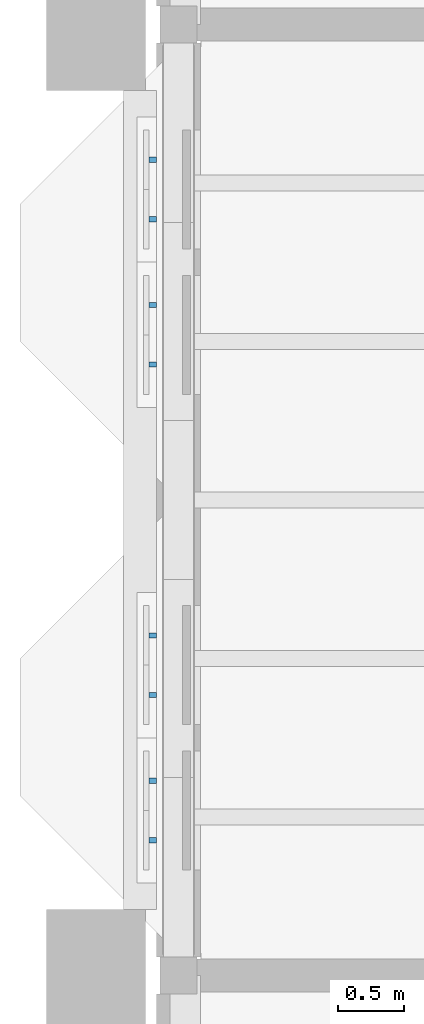
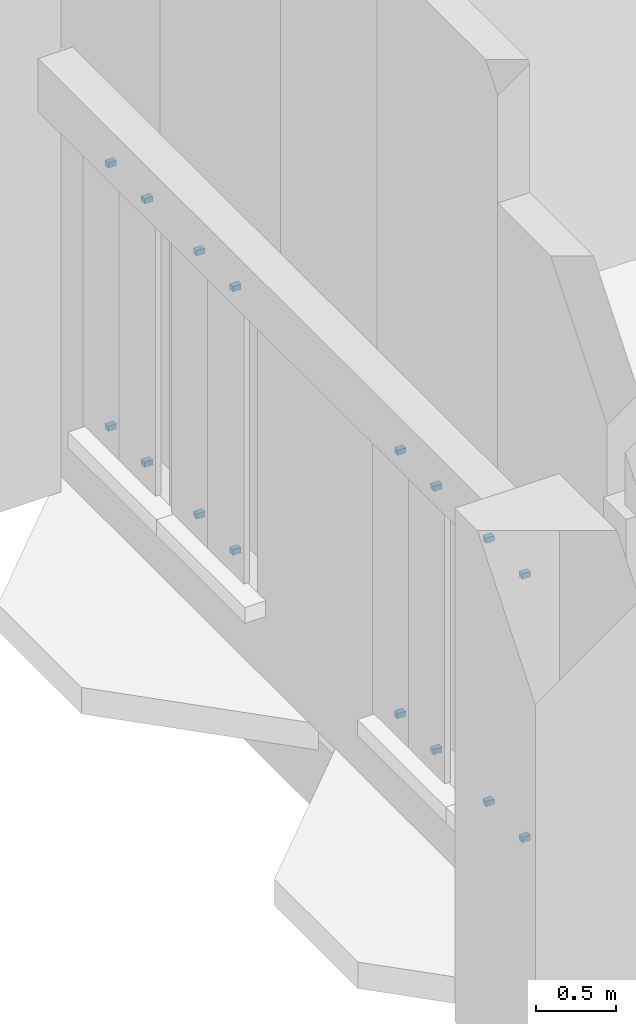
# One storey, part 41 of 51: 16 discrete accessories.
"""IFC4 building model written with IfcOpenShell, lengths in metres."""

from ifc_helpers import new_model, si_unit, direction, frame, origin, origin_2d, place, context, subcontext, project, spatial, rectangle, extrude, material, type_object, element, save


model = new_model("IFC4")

# Units and contexts
model_context = context("Model", 3, precision=1e-05, world=origin(), true_north=direction((0.0, 1.0)))
body_context = subcontext(model_context, "Body", "Model", "MODEL_VIEW")
ifc_project = project(units=[si_unit("LENGTHUNIT", "METRE"), si_unit("AREAUNIT", "SQUARE_METRE"), si_unit("VOLUMEUNIT", "CUBIC_METRE"), si_unit("PLANEANGLEUNIT", "RADIAN"), si_unit("MASSUNIT", "GRAM", prefix="KILO")], contexts=[model_context])

# Site, building, storey
site_placement = place(None, origin())
site = spatial("IfcSite", under=ifc_project, at=site_placement, CompositionType="ELEMENT")
building_placement = place(site_placement, origin())
building = spatial("IfcBuilding", under=site, at=building_placement, Name="Mazhai Court Health Centre", CompositionType="ELEMENT")
storey_placement = place(building_placement, frame((0.0, 0.0, 14.10009765625)))
storey = spatial("IfcBuildingStorey", under=building, at=storey_placement, Name="L03", CompositionType="ELEMENT", Elevation=14.10009765625)

# Discrete accessories
ifc_material = material(Name="Steel IS 2062 E250", Category="steel")
discrete_accessory_type = type_object("IfcDiscreteAccessoryType", Name="BRACKET 40", PredefinedType="BRACKET", material=ifc_material)
for number, where, z_axis, x_axis, name in (
    (1, (6.0048828125, 14.425048828125, 0.77978515625), (0.0, 0.0, 1.0), (0.0, 1.0, 0.0), "BR-V2-L03-A10aa0"),
    (2, (6.0048828125, 14.425048828125, 2.77978515625), (0.0, 0.0, 1.0), (0.0, 1.0, 0.0), "BR-V2-L03-A10aa1"),
    (3, (6.0048828125, 14.875, 0.77978515625), (0.0, 0.0, 1.0), (0.0, 1.0, 0.0), "BR-V2-L03-A10ab0"),
    (4, (6.0048828125, 14.875, 2.77978515625), (0.0, 0.0, 1.0), (0.0, 1.0, 0.0), "BR-V2-L03-A10ab1"),
    (5, (6.0048828125, 15.52490234375, 0.77978515625), (0.0, 0.0, 1.0), (0.0, 1.0, 0.0), "BR-V2-L03-A10ba0"),
    (6, (6.0048828125, 15.52490234375, 2.77978515625), (0.0, 0.0, 1.0), (0.0, 1.0, 0.0), "BR-V2-L03-A10ba1"),
    (7, (6.0048828125, 15.97509765625, 0.77978515625), (0.0, 0.0, 1.0), (0.0, 1.0, 0.0), "BR-V2-L03-A10bb0"),
    (8, (6.0048828125, 15.97509765625, 2.77978515625), (0.0, 0.0, 1.0), (0.0, 1.0, 0.0), "BR-V2-L03-A10bb1"),
    (9, (6.0048828125, 18.02490234375, 0.77978515625), (0.0, 0.0, 1.0), (0.0, 1.0, 0.0), "BR-V2-L03-A11aa0"),
    (10, (6.0048828125, 18.02490234375, 2.77978515625), (0.0, 0.0, 1.0), (0.0, 1.0, 0.0), "BR-V2-L03-A11aa1"),
    (11, (6.0048828125, 18.47509765625, 0.77978515625), (0.0, 0.0, 1.0), (0.0, 1.0, 0.0), "BR-V2-L03-A11ab0"),
    (12, (6.0048828125, 18.47509765625, 2.77978515625), (0.0, 0.0, 1.0), (0.0, 1.0, 0.0), "BR-V2-L03-A11ab1"),
    (13, (6.0048828125, 19.125, 0.77978515625), (0.0, 0.0, 1.0), (0.0, 1.0, 0.0), "BR-V2-L03-A11ba0"),
    (14, (6.0048828125, 19.125, 2.77978515625), (0.0, 0.0, 1.0), (0.0, 1.0, 0.0), "BR-V2-L03-A11ba1"),
    (15, (6.0048828125, 19.574951171875, 0.77978515625), (0.0, 0.0, 1.0), (0.0, 1.0, 0.0), "BR-V2-L03-A11bb0"),
    (16, (6.0048828125, 19.574951171875, 2.77978515625), (0.0, 0.0, 1.0), (0.0, 1.0, 0.0), "BR-V2-L03-A11bb1"),
):
    element("IfcDiscreteAccessory", number, at=place(storey_placement, frame(where, z_axis=z_axis, x_axis=x_axis)), inside=storey, type_object=discrete_accessory_type, Name=name, PredefinedType="BRACKET", context=body_context, shape_type="SweptSolid", body=[
        extrude(rectangle(XDim=0.0400390625, YDim=0.06005859375, at=origin_2d()), origin(), (0.0, 0.0, 1.0), 0.0400390625),
    ])

save(model, "model.ifc")
